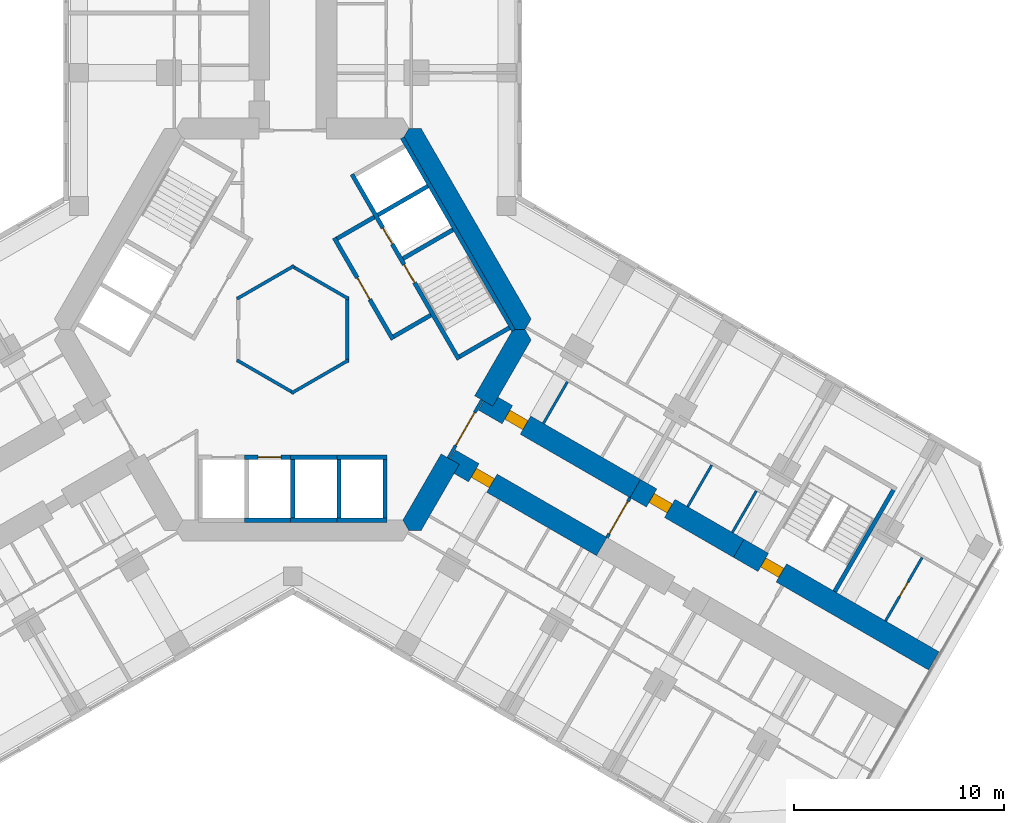
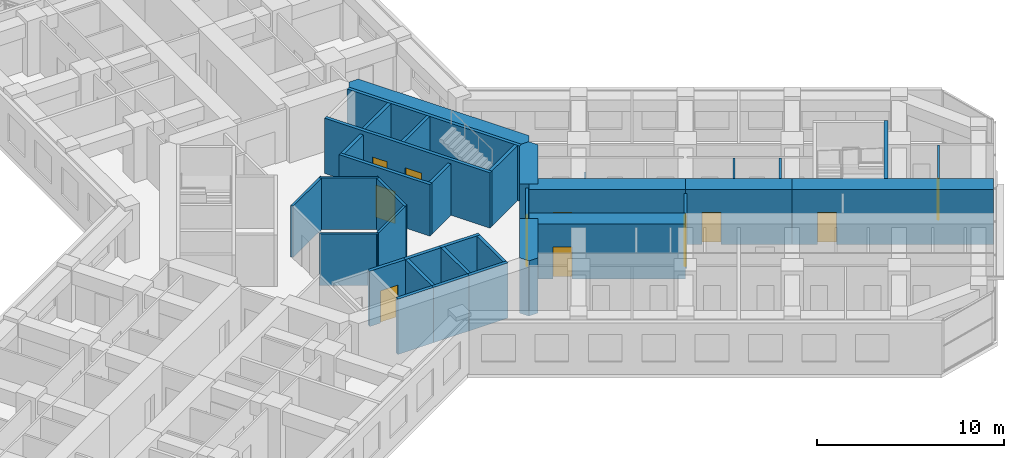
# One storey, part 15 of 21: 36 walls, 11 doors, 11 openings.
"""IFC4 building model written with IfcOpenShell, lengths in metres."""

import ifcopenshell
import ifcopenshell.guid

model = None  # the IFC model being written
_history = None  # IfcOwnerHistory: only IFC2X3 demands one
_inside = {}  # id of a spatial element -> (the spatial element, [elements in it])
_under = {}  # id of a project, library or spatial element -> (it, [spatial elements below it])
_declared = {}  # id of a project -> (the project, [libraries it declares])
_typed = {}  # id of a type object -> (the type object, [elements of that type])
_made_of = {}  # id of a material, layer set ... -> (it, [elements and type objects made of it])


def new_model(schema):
    """Start an empty IFC model of exactly this schema.

    Asked for "IFC4X3", IfcOpenShell would pick the latest addendum, in which some entities
    have other attributes; the version numbers below select the first issue.
    IFC2X3 requires an IfcOwnerHistory on every rooted entity: one is made here for all.
    """
    global model, _history
    if schema == "IFC4X3":
        model = ifcopenshell.file(schema_version=(4, 3, 0, 0))
    else:
        model = ifcopenshell.file(schema=schema)
    _inside.clear()
    _under.clear()
    _declared.clear()
    _typed.clear()
    _made_of.clear()
    _history = None
    if model.schema == "IFC2X3":
        org = make("IfcOrganization", Name="unknown")
        user = make(
            "IfcPersonAndOrganization",
            ThePerson=make("IfcPerson", FamilyName="unknown"),
            TheOrganization=org,
        )
        app = make(
            "IfcApplication",
            ApplicationDeveloper=org,
            Version="unknown",
            ApplicationFullName="unknown",
            ApplicationIdentifier="unknown",
        )
        _history = make(
            "IfcOwnerHistory",
            OwningUser=user,
            OwningApplication=app,
            ChangeAction="ADDED",
            CreationDate=0,
        )
    return model


def make(cls, **values):
    """One entity of the class cls with the attributes given. An attribute that is None is left unset."""
    return model.create_entity(
        cls, **{name: value for name, value in values.items() if value is not None}
    )


def rooted(cls, **values):
    """An entity with a GlobalId (a new one), such as an element, a storey or a relation."""
    return make(cls, GlobalId=ifcopenshell.guid.new(), OwnerHistory=_history, **values)


def si_unit(unit_type, name, prefix=None):
    """IfcSIUnit, for example si_unit("LENGTHUNIT", "METRE", prefix="MILLI")."""
    return make("IfcSIUnit", UnitType=unit_type, Prefix=prefix, Name=name)


def assignment(units):
    """IfcUnitAssignment: the units of a project."""
    return None if units is None else make("IfcUnitAssignment", Units=units)


def point(xyz):
    """IfcCartesianPoint."""
    return None if xyz is None else make("IfcCartesianPoint", Coordinates=xyz)


def direction(xyz):
    """IfcDirection."""
    return None if xyz is None else make("IfcDirection", DirectionRatios=xyz)


def frame(location, z_axis=None, x_axis=None):
    """IfcAxis2Placement3D, a coordinate frame: its origin and axes. An axis left out is left unset."""
    return make(
        "IfcAxis2Placement3D",
        Location=point(location),
        Axis=direction(z_axis),
        RefDirection=direction(x_axis),
    )


def frame_2d(location, x_axis=None):
    """IfcAxis2Placement2D, a coordinate frame in the plane: its origin and x axis."""
    return make(
        "IfcAxis2Placement2D", Location=point(location), RefDirection=direction(x_axis)
    )


def origin():
    """The frame at (0, 0, 0) with its axes left unset."""
    return frame((0.0, 0.0, 0.0))


def place(relative_to, where):
    """IfcLocalPlacement: puts the frame where relative to a parent placement (None: the world)."""
    return make(
        "IfcLocalPlacement", PlacementRelTo=relative_to, RelativePlacement=where
    )


def context(
    kind, dimensions, precision=None, world=None, true_north=None, identifier=None
):
    """IfcGeometricRepresentationContext, for example the 3D "Model" context."""
    return make(
        "IfcGeometricRepresentationContext",
        ContextIdentifier=identifier,
        ContextType=kind,
        CoordinateSpaceDimension=dimensions,
        Precision=precision,
        WorldCoordinateSystem=world,
        TrueNorth=true_north,
    )


def subcontext(parent, identifier, kind, view, scale=None):
    """IfcGeometricRepresentationSubContext, for example "Body" below "Model"."""
    return make(
        "IfcGeometricRepresentationSubContext",
        ContextIdentifier=identifier,
        ContextType=kind,
        ParentContext=parent,
        TargetScale=scale,
        TargetView=view,
    )


def project(units=None, contexts=None):
    """IfcProject with its units and contexts."""
    return rooted(
        "IfcProject",
        Name="project",
        RepresentationContexts=contexts,
        UnitsInContext=assignment(units),
    )


def spatial(cls, under=None, at=None, **own):
    """A site, building, storey or space (cls), placed at a placement, below another one or the project."""
    s = rooted(cls, ObjectPlacement=at, **own)
    if under is not None:
        _under.setdefault(under.id(), (under, []))[1].append(s)
    return s


def polyline(points):
    """IfcPolyline through the points."""
    return make("IfcPolyline", Points=[point(p) for p in points])


def profile(cls, at=None, kind="AREA", **sizes):
    """A parametric profile (cls). Its sizes go by their IFC names, for example OverallWidth=200.0."""
    return make(cls, ProfileType=kind, Position=at, **sizes)


def rectangle(**sizes):
    """IfcRectangleProfileDef."""
    return profile("IfcRectangleProfileDef", **sizes)


def outline(outer, holes=None, kind="AREA"):
    """IfcArbitraryClosedProfileDef: a profile drawn as a closed curve; with holes, ...WithVoids."""
    if holes is None:
        return make("IfcArbitraryClosedProfileDef", ProfileType=kind, OuterCurve=outer)
    return make(
        "IfcArbitraryProfileDefWithVoids",
        ProfileType=kind,
        OuterCurve=outer,
        InnerCurves=holes,
    )


def extrude(swept, where, along, depth):
    """IfcExtrudedAreaSolid: the profile swept, set in the frame where, extruded along a direction by depth."""
    return make(
        "IfcExtrudedAreaSolid",
        SweptArea=swept,
        Position=where,
        ExtrudedDirection=direction(along),
        Depth=depth,
    )


def shape(context_of_items, identifier, shape_type, items):
    """IfcShapeRepresentation: the items that make up one representation, for example the "Body"."""
    return make(
        "IfcShapeRepresentation",
        ContextOfItems=context_of_items,
        RepresentationIdentifier=identifier,
        RepresentationType=shape_type,
        Items=items,
    )


def material(Name=None, Category=None):
    """IfcMaterial."""
    return make("IfcMaterial", Name=Name, Category=Category)


def layer(
    of_material, thickness, ventilated=None, Name=None, Category=None, Priority=None
):
    """IfcMaterialLayer: one layer of a wall or slab, of a material (None: an air gap)."""
    return make(
        "IfcMaterialLayer",
        Material=of_material,
        LayerThickness=thickness,
        IsVentilated=ventilated,
        Name=Name,
        Category=Category,
        Priority=Priority,
    )


def layer_set(layers, Name=None):
    """IfcMaterialLayerSet."""
    return make("IfcMaterialLayerSet", MaterialLayers=layers, LayerSetName=Name)


def made_of(thing, what):
    """Note that an element or type object is made of a material, layer set ...; save() writes the relation."""
    if what is not None:
        _made_of.setdefault(what.id(), (what, []))[1].append(thing)
    return thing


def type_object(cls, material=None, **own):
    """A type object (cls), such as IfcWallType, which elements share."""
    return made_of(rooted(cls, **own), material)


def element(
    cls,
    number,
    at=None,
    inside=None,
    cuts=None,
    type_object=None,
    material=None,
    context=None,
    identifier="Body",
    shape_type=None,
    held_by="IfcProductDefinitionShape",
    body=None,
    shapes=None,
    **own,
):
    """One element of the class cls, such as IfcWall. Its Tag is "e" and its number.

    at: its placement. inside: the storey or other place that contains it. cuts: it is an
    opening in that element (IfcRelVoidsElement). A single representation is given by context,
    identifier, shape_type and body (its items); several are given by shapes. held_by: the class
    of the entity that holds the representations. save() writes the other relations.
    """
    e = rooted(cls, Tag="e%d" % number, ObjectPlacement=at, **own)
    if body is not None:
        shapes = [shape(context, identifier, shape_type, body)]
    if shapes is not None:
        e.Representation = make(held_by, Representations=shapes)
    if inside is not None:
        _inside.setdefault(inside.id(), (inside, []))[1].append(e)
    if cuts is not None:
        rooted(
            "IfcRelVoidsElement", RelatingBuildingElement=cuts, RelatedOpeningElement=e
        )
    if type_object is not None:
        _typed.setdefault(type_object.id(), (type_object, []))[1].append(e)
    return made_of(e, material)


def fill(opening, filler):
    """IfcRelFillsElement: the door or window that sits in an opening."""
    return rooted(
        "IfcRelFillsElement",
        RelatingOpeningElement=opening,
        RelatedBuildingElement=filler,
    )


def aggregate(whole, parts):
    """IfcRelAggregates: a whole, such as a stair, and the parts it consists of."""
    return rooted("IfcRelAggregates", RelatingObject=whole, RelatedObjects=parts)


def save(model, path):
    """Write the relations noted so far, then the file.

    IfcRelAggregates (storeys below a building ...), IfcRelContainedInSpatialStructure (elements
    in a storey), IfcRelDefinesByType, IfcRelAssociatesMaterial and IfcRelDeclares: one each for
    every whole, place, type object, material and project.
    """
    for whole, parts in _under.values():
        aggregate(whole, parts)
    for where, things in _inside.values():
        rooted(
            "IfcRelContainedInSpatialStructure",
            RelatedElements=things,
            RelatingStructure=where,
        )
    for kind, things in _typed.values():
        rooted("IfcRelDefinesByType", RelatedObjects=things, RelatingType=kind)
    for what, things in _made_of.values():
        rooted("IfcRelAssociatesMaterial", RelatedObjects=things, RelatingMaterial=what)
    for by, libraries in _declared.values():
        rooted("IfcRelDeclares", RelatingContext=by, RelatedDefinitions=libraries)
    model.write(path)


model = new_model("IFC4")

# Units and contexts
model_context = context("Model", 3, precision=1e-05, world=origin(), true_north=direction((0.0, 1.0)))
body_context = subcontext(model_context, "Body", "Model", "MODEL_VIEW")
ifc_project = project(units=[si_unit("LENGTHUNIT", "METRE"), si_unit("AREAUNIT", "SQUARE_METRE"), si_unit("VOLUMEUNIT", "CUBIC_METRE"), si_unit("PLANEANGLEUNIT", "RADIAN"), si_unit("MASSUNIT", "GRAM", prefix="KILO")], contexts=[model_context])

# Site, building, storey
site_placement = place(None, origin())
site = spatial("IfcSite", under=ifc_project, at=site_placement, CompositionType="ELEMENT")
building_placement = place(site_placement, origin())
building = spatial("IfcBuilding", under=site, at=building_placement, Name="Kosmar Iwan School Tower", CompositionType="ELEMENT")
storey_placement = place(building_placement, frame((0.0, 0.0, 102.39990234375)))
storey = spatial("IfcBuildingStorey", under=building, at=storey_placement, Name="L25", CompositionType="ELEMENT", Elevation=102.39990234375)

# Walls
ifc_material_1 = material(Name="Gypsum board on steel studs, fire-rated", Category="steel")
ifc_layer_1 = layer(ifc_material_1, 0.14990234375)
ifc_layer_set_1 = layer_set([ifc_layer_1], Name="Core room partition 150")
wall_type_1 = type_object("IfcWallType", Name="Core room partition 150", PredefinedType="PARTITIONING", material=ifc_layer_set_1)
for number, where, z_axis, x_axis, name in (
    (1, (2.6650390625, -1.463623046875, 0.0), (0.0, 0.0, 1.0), (-0.866023080072, -0.500004024767, 0.0), "Core room partition L25-CW4"),
    (2, (0.06494140625, -3.039794921875, 0.0), (0.0, 0.0, 1.0), (-0.866023080072, 0.500004024767, 0.0), "Core room partition L25-CW5"),
    (3, (-2.6650390625, 1.463623046875, 0.0), (0.0, 0.0, 1.0), (0.866023080072, 0.500004024767, 0.0), "Core room partition L25-CW7"),
    (4, (-0.06494140625, 3.039794921875, 0.0), (0.0, 0.0, 1.0), (0.866023080072, -0.500004024767, 0.0), "Core room partition L25-CW8"),
    (5, (2.60009765625, 1.576171875, 0.0), (0.0, 0.0, 1.0), (0.0, -1.0, 0.0), "Core room partition L25-CW9"),
):
    element("IfcWall", number, at=place(storey_placement, frame(where, z_axis=z_axis, x_axis=x_axis)), inside=storey, type_object=wall_type_1, Name=name, PredefinedType="PARTITIONING", context=body_context, shape_type="SweptSolid", body=[
        extrude(rectangle(XDim=3.15234375, YDim=0.14990234375, at=frame_2d((1.576171875, 0.0))), origin(), (0.0, 0.0, 1.0), 3.35009765625),
    ])
ifc_material_2 = material(Name="Concrete C50/60", Category="concrete")
ifc_layer_2 = layer(ifc_material_2, 1.0)
ifc_layer_set_2 = layer_set([ifc_layer_2], Name="Core wall 1000")
wall_type_2 = type_object("IfcWallType", Name="Core wall 1000", PredefinedType="SHEAR", material=ifc_layer_set_2)
wall_1_placement = place(storey_placement, origin())
element("IfcWall", 6, at=wall_1_placement, inside=storey, type_object=wall_type_2, Name="Core wall F030", PredefinedType="SHEAR", context=body_context, shape_type="SweptSolid", body=[
    extrude(outline(polyline([(10.5078125, 0.0), (11.085205078125, 0.0), (11.373779296875, 0.5), (6.119873046875, 9.60009765625), (5.54248046875, 9.60009765625), (5.25390625, 9.10009765625), (10.5078125, 0.0)])), origin(), (0.0, 0.0, 1.0), 3.60009765625),
])
wall_2_placement = place(storey_placement, origin())
element("IfcWall", 7, at=wall_2_placement, inside=storey, type_object=wall_type_2, Name="Core wall F330a", PredefinedType="SHEAR", context=body_context, shape_type="SweptSolid", body=[
    extrude(outline(polyline([(5.54248046875, -9.60009765625), (6.119873046875, -9.60009765625), (7.94677734375, -6.435546875), (7.080810546875, -5.935546875), (5.25390625, -9.10009765625), (5.54248046875, -9.60009765625)])), origin(), (0.0, 0.0, 1.0), 3.60009765625),
])
wall_3_placement = place(storey_placement, origin())
element("IfcWall", 8, at=wall_3_placement, inside=storey, type_object=wall_type_2, Name="Core wall F330b", PredefinedType="SHEAR", context=body_context, shape_type="SweptSolid", body=[
    extrude(outline(polyline([(9.546875, -3.664306640625), (11.373779296875, -0.5), (11.085205078125, 0.0), (10.5078125, 0.0), (8.680908203125, -3.164306640625), (9.546875, -3.664306640625)])), origin(), (0.0, 0.0, 1.0), 3.60009765625),
])

# Wall, opening, door
ifc_material_3 = material(Name="Concrete C50/60", Category="concrete")
ifc_layer_3 = layer(ifc_material_3, 1.0)
ifc_layer_set_3 = layer_set([ifc_layer_3], Name="Corridor buttress wall 1000")
wall_type_3 = type_object("IfcWallType", Name="Corridor buttress wall 1000", PredefinedType="SHEAR", material=ifc_layer_set_3)
wall_4_placement = place(storey_placement, frame((9.11376953125, -3.414306640625, 0.0), z_axis=(0.0, 0.0, 1.0), x_axis=(0.866026859388, -0.499997478812, 0.0)))
wall_4 = element("IfcWall", 9, at=wall_4_placement, inside=storey, type_object=wall_type_3, Name="Corridor wall CL", PredefinedType="SHEAR", context=body_context, shape_type="SweptSolid", body=[
    extrude(rectangle(XDim=8.35009765625, YDim=1.0, at=frame_2d((4.175048828125, 0.0))), origin(), (0.0, 0.0, 1.0), 3.60009765625),
])
opening_1_placement = place(wall_4_placement, frame((1.300048828125, 0.0, 0.0)))
opening_1 = element("IfcOpeningElement", 10, at=opening_1_placement, cuts=wall_4, Name="Opening D1", PredefinedType="OPENING", context=body_context, shape_type="SweptSolid", body=[
    extrude(rectangle(XDim=1.0, YDim=2.10009765625, at=frame_2d((0.5, 1.050048828125))), frame((0.0, 0.511962890625, 0.0), z_axis=(0.0, -1.0, 0.0), x_axis=(1.0, 0.0, 0.0)), (0.0, 0.0, 1.0), 1.02392578125),
])
ifc_material_4 = material(Name="Timber fire door in steel frame", Category="steel")
door_type_1 = type_object("IfcDoorType", Name="Flat entrance door 1000x2100", OperationType="SINGLE_SWING_LEFT", PredefinedType="DOOR", material=ifc_material_4)
door_1_placement = place(opening_1_placement, origin())
door_1 = element("IfcDoor", 11, at=door_1_placement, inside=storey, type_object=door_type_1, Name="Flat L25-CL1 entrance door", OperationType="SINGLE_SWING_RIGHT", OverallHeight=2.10009765625, OverallWidth=1.0, PredefinedType="DOOR", context=body_context, shape_type="SweptSolid", body=[
    extrude(rectangle(XDim=1.0, YDim=2.10009765625, at=frame_2d((0.5, 1.050048828125))), frame((0.0, 0.25, 0.0), z_axis=(0.0, -1.0, 0.0), x_axis=(1.0, 0.0, 0.0)), (0.0, 0.0, 1.0), 0.5),
])
fill(opening_1, door_1)

wall_5_placement = place(storey_placement, frame((16.34521484375, -7.58935546875, 0.0), z_axis=(0.0, 0.0, 1.0), x_axis=(0.866015111908, -0.50001782563, 0.0)))
wall_5 = element("IfcWall", 12, at=wall_5_placement, inside=storey, type_object=wall_type_3, Name="Corridor wall CL bay 2", PredefinedType="SHEAR", context=body_context, shape_type="SweptSolid", body=[
    extrude(rectangle(XDim=5.699951171875, YDim=1.0, at=frame_2d((2.85009765625, 0.0))), origin(), (0.0, 0.0, 1.0), 3.60009765625),
])
opening_2_placement = place(wall_5_placement, frame((0.89990234375, 0.0, 0.0)))
opening_2 = element("IfcOpeningElement", 13, at=opening_2_placement, cuts=wall_5, Name="Opening D1", PredefinedType="OPENING", context=body_context, shape_type="SweptSolid", body=[
    extrude(rectangle(XDim=1.0, YDim=2.10009765625, at=frame_2d((0.5, 1.050048828125))), frame((0.0, 0.511962890625, 0.0), z_axis=(0.0, -1.0, 0.0), x_axis=(1.0, 0.0, 0.0)), (0.0, 0.0, 1.0), 1.02392578125),
])
door_2_placement = place(opening_2_placement, origin())
door_2 = element("IfcDoor", 14, at=door_2_placement, inside=storey, type_object=door_type_1, Name="Flat L25-CL2 entrance door", OperationType="SINGLE_SWING_RIGHT", OverallHeight=2.10009765625, OverallWidth=1.0, PredefinedType="DOOR", context=body_context, shape_type="SweptSolid", body=[
    extrude(rectangle(XDim=1.0, YDim=2.10009765625, at=frame_2d((0.5, 1.050048828125))), frame((0.0, 0.25, 0.0), z_axis=(0.0, -1.0, 0.0), x_axis=(1.0, 0.0, 0.0)), (0.0, 0.0, 1.0), 0.5),
])
fill(opening_2, door_2)

wall_6_placement = place(storey_placement, frame((21.281494140625, -10.439453125, 0.0), z_axis=(0.0, 0.0, 1.0), x_axis=(0.866032345022, -0.499987977232, 0.0)))
wall_6 = element("IfcWall", 15, at=wall_6_placement, inside=storey, type_object=wall_type_3, Name="Corridor wall CL bay 3", PredefinedType="SHEAR", context=body_context, shape_type="SweptSolid", body=[
    extrude(rectangle(XDim=10.744873046875, YDim=1.0, at=frame_2d((5.37255859375, 0.0))), origin(), (0.0, 0.0, 1.0), 3.60009765625),
])
opening_3_placement = place(wall_6_placement, frame((1.35009765625, 0.0, 0.0)))
opening_3 = element("IfcOpeningElement", 16, at=opening_3_placement, cuts=wall_6, Name="Opening D6", PredefinedType="OPENING", context=body_context, shape_type="SweptSolid", body=[
    extrude(rectangle(XDim=1.0, YDim=2.10009765625, at=frame_2d((0.5, 1.050048828125))), frame((0.0, 0.511962890625, 0.0), z_axis=(0.0, -1.0, 0.0), x_axis=(1.0, 0.0, 0.0)), (0.0, 0.0, 1.0), 1.02392578125),
])
ifc_material_5 = material(Name="Steel fire door", Category="steel")
door_type_2 = type_object("IfcDoorType", Name="Stair door 1000x2100", OperationType="SINGLE_SWING_LEFT", PredefinedType="DOOR", material=ifc_material_5)
door_3_placement = place(opening_3_placement, origin())
door_3 = element("IfcDoor", 17, at=door_3_placement, inside=storey, type_object=door_type_2, Name="Stair WS3 door L25", OperationType="SINGLE_SWING_LEFT", OverallHeight=2.10009765625, OverallWidth=1.0, PredefinedType="DOOR", context=body_context, shape_type="SweptSolid", body=[
    extrude(rectangle(XDim=1.0, YDim=2.10009765625, at=frame_2d((0.5, 1.050048828125))), frame((0.0, 0.25, 0.0), z_axis=(0.0, -1.0, 0.0), x_axis=(1.0, 0.0, 0.0)), (0.0, 0.0, 1.0), 0.5),
])
fill(opening_3, door_3)

wall_7_placement = place(storey_placement, frame((7.513916015625, -6.185546875, 0.0), z_axis=(0.0, 0.0, 1.0), x_axis=(0.866019549707, -0.500010139422, 0.0)))
wall_7 = element("IfcWall", 18, at=wall_7_placement, inside=storey, type_object=wall_type_3, Name="Corridor wall CR", PredefinedType="SHEAR", context=body_context, shape_type="SweptSolid", body=[
    extrude(rectangle(XDim=8.349853515625, YDim=1.0, at=frame_2d((4.1748046875, 0.0))), origin(), (0.0, 0.0, 1.0), 3.60009765625),
])
opening_4_placement = place(wall_7_placement, frame((1.300048828125, 0.0, 0.0)))
opening_4 = element("IfcOpeningElement", 19, at=opening_4_placement, cuts=wall_7, Name="Opening D1", PredefinedType="OPENING", context=body_context, shape_type="SweptSolid", body=[
    extrude(rectangle(XDim=1.0, YDim=2.10009765625, at=frame_2d((0.5, 1.050048828125))), frame((0.0, 0.511962890625, 0.0), z_axis=(0.0, -1.0, 0.0), x_axis=(1.0, 0.0, 0.0)), (0.0, 0.0, 1.0), 1.02392578125),
])
door_4_placement = place(opening_4_placement, origin())
door_4 = element("IfcDoor", 20, at=door_4_placement, inside=storey, type_object=door_type_1, Name="Flat L25-CR1 entrance door", OperationType="SINGLE_SWING_LEFT", OverallHeight=2.10009765625, OverallWidth=1.0, PredefinedType="DOOR", context=body_context, shape_type="SweptSolid", body=[
    extrude(rectangle(XDim=1.0, YDim=2.10009765625, at=frame_2d((0.5, 1.050048828125))), frame((0.0, 0.25, 0.0), z_axis=(0.0, -1.0, 0.0), x_axis=(1.0, 0.0, 0.0)), (0.0, 0.0, 1.0), 0.5),
])
fill(opening_4, door_4)

ifc_material_6 = material(Name="Gypsum board on steel studs, fire-rated", Category="steel")
ifc_layer_4 = layer(ifc_material_6, 0.14990234375)
ifc_layer_set_4 = layer_set([ifc_layer_4], Name="Corridor end wall 150")
wall_type_4 = type_object("IfcWallType", Name="Corridor end wall 150", PredefinedType="PARTITIONING", material=ifc_layer_set_4)
wall_8_placement = place(storey_placement, frame((14.9951171875, -9.927734375, 0.0), z_axis=(0.0, 0.0, 1.0), x_axis=(0.50002983664, 0.866008176907, 0.0)))
wall_8 = element("IfcWall", 21, at=wall_8_placement, inside=storey, type_object=wall_type_4, Name="Partition L25-C-HW", PredefinedType="PARTITIONING", context=body_context, shape_type="SweptSolid", body=[
    extrude(rectangle(XDim=2.199951171875, YDim=0.14990234375, at=frame_2d((1.10009765625, 0.0))), origin(), (0.0, 0.0, 1.0), 3.35009765625),
])
opening_5_placement = place(wall_8_placement, frame((0.199951171875, 0.0, 0.0)))
opening_5 = element("IfcOpeningElement", 22, at=opening_5_placement, cuts=wall_8, Name="Opening D9", PredefinedType="OPENING", context=body_context, shape_type="SweptSolid", body=[
    extrude(rectangle(XDim=1.800048828125, YDim=2.10009765625, at=frame_2d((0.89990234375, 1.050048828125))), frame((0.0, 0.0869140625, 0.0), z_axis=(0.0, -1.0, 0.0), x_axis=(1.0, 0.0, 0.0)), (0.0, 0.0, 1.0), 0.173828125),
])
ifc_material_7 = material(Name="Steel framed glazed smoke door", Category="steel")
door_type_3 = type_object("IfcDoorType", Name="Corridor smoke door pair 1800x2100", OperationType="DOUBLE_DOOR_DOUBLE_SWING", PredefinedType="DOOR", material=ifc_material_7)
door_5_placement = place(opening_5_placement, origin())
door_5 = element("IfcDoor", 23, at=door_5_placement, inside=storey, type_object=door_type_3, Name="Entrance vestibule smoke doors L25-C", OperationType="DOUBLE_DOOR_DOUBLE_SWING", OverallHeight=2.10009765625, OverallWidth=1.800048828125, PredefinedType="DOOR", context=body_context, shape_type="SweptSolid", body=[
    extrude(rectangle(XDim=1.800048828125, YDim=2.10009765625, at=frame_2d((0.89990234375, 1.050048828125))), frame((0.0, 0.02490234375, 0.0), z_axis=(0.0, -1.0, 0.0), x_axis=(1.0, 0.0, 0.0)), (0.0, 0.0, 1.0), 0.050048828125),
])
fill(opening_5, door_5)

ifc_material_8 = material(Name="Steel framed glazed screen", Category="steel")
ifc_layer_5 = layer(ifc_material_8, 0.14990234375)
ifc_layer_set_5 = layer_set([ifc_layer_5], Name="Corridor screen wall 150")
wall_type_5 = type_object("IfcWallType", Name="Corridor screen wall 150", PredefinedType="PARTITIONING", material=ifc_layer_set_5)
wall_9_placement = place(storey_placement, frame((7.42724609375, -6.1357421875, 0.0), z_axis=(0.0, 0.0, 1.0), x_axis=(0.499995408039, 0.866028054938, 0.0)))
wall_9 = element("IfcWall", 24, at=wall_9_placement, inside=storey, type_object=wall_type_5, Name="Corridor screen C L25", PredefinedType="PARTITIONING", context=body_context, shape_type="SweptSolid", body=[
    extrude(rectangle(XDim=3.2001953125, YDim=0.14990234375, at=frame_2d((1.60009765625, 0.0))), origin(), (0.0, 0.0, 1.0), 3.35009765625),
])
opening_6_placement = place(wall_9_placement, frame((0.699951171875, 0.0, 0.0)))
opening_6 = element("IfcOpeningElement", 25, at=opening_6_placement, cuts=wall_9, Name="Opening D9", PredefinedType="OPENING", context=body_context, shape_type="SweptSolid", body=[
    extrude(rectangle(XDim=1.800048828125, YDim=2.10009765625, at=frame_2d((0.89990234375, 1.050048828125))), frame((0.0, 0.0869140625, 0.0), z_axis=(0.0, -1.0, 0.0), x_axis=(1.0, 0.0, 0.0)), (0.0, 0.0, 1.0), 0.173828125),
])
door_6_placement = place(opening_6_placement, origin())
door_6 = element("IfcDoor", 26, at=door_6_placement, inside=storey, type_object=door_type_3, Name="Corridor doors C L25", OperationType="DOUBLE_DOOR_DOUBLE_SWING", OverallHeight=2.10009765625, OverallWidth=1.800048828125, PredefinedType="DOOR", context=body_context, shape_type="SweptSolid", body=[
    extrude(rectangle(XDim=1.800048828125, YDim=2.10009765625, at=frame_2d((0.89990234375, 1.050048828125))), frame((0.0, 0.02490234375, 0.0), z_axis=(0.0, -1.0, 0.0), x_axis=(1.0, 0.0, 0.0)), (0.0, 0.0, 1.0), 0.050048828125),
])
fill(opening_6, door_6)

# Walls
ifc_material_9 = material(Name="Gypsum board on steel studs", Category="steel")
ifc_layer_6 = layer(ifc_material_9, 0.1201171875)
ifc_layer_set_6 = layer_set([ifc_layer_6], Name="Dwelling partition 120")
wall_type_6 = type_object("IfcWallType", Name="Dwelling partition 120", PredefinedType="PARTITIONING", material=ifc_layer_set_6)
wall_10_placement = place(storey_placement, frame((11.9619140625, -4.4814453125, 0.0), z_axis=(0.0, 0.0, 1.0), x_axis=(0.499968531483, 0.866043571379, 0.0)))
element("IfcWall", 27, at=wall_10_placement, inside=storey, type_object=wall_type_6, Name="Partition L25-CL1-Y1", PredefinedType="PARTITIONING", context=body_context, shape_type="SweptSolid", body=[
    extrude(rectangle(XDim=2.290283203125, YDim=0.1201171875, at=frame_2d((1.14501953125, 0.0))), origin(), (0.0, 0.0, 1.0), 2.4501953125),
])
for number, where, z_axis, x_axis, name in (
    (28, (18.846923828125, -8.456298828125, 0.0), (0.0, 0.0, 1.0), (0.500014693593, 0.866016920268, 0.0), "Partition L25-CL2-Y1"),
    (29, (20.977294921875, -9.686279296875, 0.0), (0.0, 0.0, 1.0), (0.500014693593, 0.866016920268, 0.0), "Partition L25-CL2-Y2"),
):
    element("IfcWall", number, at=place(storey_placement, frame(where, z_axis=z_axis, x_axis=x_axis)), inside=storey, type_object=wall_type_6, Name=name, PredefinedType="PARTITIONING", context=body_context, shape_type="SweptSolid", body=[
        extrude(rectangle(XDim=2.2900390625, YDim=0.1201171875, at=frame_2d((1.14501953125, 0.0))), origin(), (0.0, 0.0, 1.0), 3.35009765625),
    ])

# Wall, opening, door
wall_11_placement = place(storey_placement, frame((28.286376953125, -13.90625, 0.0), z_axis=(0.0, 0.0, 1.0), x_axis=(0.50002117804, 0.866013176292, 0.0)))
wall_11 = element("IfcWall", 30, at=wall_11_placement, inside=storey, type_object=wall_type_6, Name="Partition L25-CL2-TY", PredefinedType="PARTITIONING", context=body_context, shape_type="SweptSolid", body=[
    extrude(rectangle(XDim=3.489990234375, YDim=0.1201171875, at=frame_2d((1.7451171875, 0.0))), origin(), (0.0, 0.0, 1.0), 3.35009765625),
])
opening_7_placement = place(wall_11_placement, frame((1.344970703125, 0.0, 0.0)))
opening_7 = element("IfcOpeningElement", 31, at=opening_7_placement, cuts=wall_11, Name="Opening D3", PredefinedType="OPENING", context=body_context, shape_type="SweptSolid", body=[
    extrude(rectangle(XDim=0.800048828125, YDim=2.10009765625, at=frame_2d((0.39990234375, 1.050048828125))), frame((0.0, 0.072021484375, 0.0), z_axis=(0.0, -1.0, 0.0), x_axis=(1.0, 0.0, 0.0)), (0.0, 0.0, 1.0), 0.14404296875),
])
ifc_material_10 = material(Name="Timber door in timber frame", Category="wood")
door_type_4 = type_object("IfcDoorType", Name="Sanitary room door 800x2100", OperationType="SINGLE_SWING_LEFT", PredefinedType="DOOR", material=ifc_material_10)
door_7_placement = place(opening_7_placement, origin())
door_7 = element("IfcDoor", 32, at=door_7_placement, inside=storey, type_object=door_type_4, Name="Shower room door L25-CL2-T4", OperationType="SINGLE_SWING_RIGHT", OverallHeight=2.10009765625, OverallWidth=0.800048828125, PredefinedType="DOOR", context=body_context, shape_type="SweptSolid", body=[
    extrude(rectangle(XDim=0.800048828125, YDim=2.10009765625, at=frame_2d((0.39990234375, 1.050048828125))), frame((0.0, 0.02490234375, 0.0), z_axis=(0.0, -1.0, 0.0), x_axis=(1.0, 0.0, 0.0)), (0.0, 0.0, 1.0), 0.050048828125),
])
fill(opening_7, door_7)

# Wall
ifc_material_11 = material(Name="Concrete C35/45", Category="concrete")
ifc_layer_7 = layer(ifc_material_11, 0.199951171875)
ifc_layer_set_7 = layer_set([ifc_layer_7], Name="Escape stair wall 200")
wall_type_7 = type_object("IfcWallType", Name="Escape stair wall 200", PredefinedType="SHEAR", material=ifc_layer_set_7)
wall_12_placement = place(storey_placement, frame((25.861572265625, -12.50634765625, 0.0), z_axis=(0.0, 0.0, 1.0), x_axis=(0.500018801468, 0.86601454848, 0.0)))
element("IfcWall", 33, at=wall_12_placement, inside=storey, type_object=wall_type_7, Name="Stair WS3 wall", PredefinedType="SHEAR", context=body_context, shape_type="SweptSolid", body=[
    extrude(rectangle(XDim=5.800048828125, YDim=0.199951171875, at=frame_2d((2.89990234375, 0.0))), origin(), (0.0, 0.0, 1.0), 3.330078125),
])

# Wall, opening, door
ifc_material_12 = material(Name="Concrete block masonry", Category="masonry")
ifc_layer_8 = layer(ifc_material_12, 0.199951171875)
ifc_layer_set_8 = layer_set([ifc_layer_8], Name="Fire lobby wall 200")
wall_type_8 = type_object("IfcWallType", Name="Fire lobby wall 200", PredefinedType="PARTITIONING", material=ifc_layer_set_8)
wall_13_placement = place(storey_placement, frame((4.777587890625, -0.474853515625, 0.0), z_axis=(0.0, 0.0, 1.0), x_axis=(-0.500016814911, 0.866015695474, 0.0)))
wall_13 = element("IfcWall", 34, at=wall_13_placement, inside=storey, type_object=wall_type_8, Name="Firefighting lobby wall ST1", PredefinedType="PARTITIONING", context=body_context, shape_type="SweptSolid", body=[
    extrude(rectangle(XDim=5.599853515625, YDim=0.199951171875, at=frame_2d((2.7998046875, 0.0))), origin(), (0.0, 0.0, 1.0), 3.35009765625),
])
opening_8_placement = place(wall_13_placement, frame((2.199951171875, 0.0, 0.0)))
opening_8 = element("IfcOpeningElement", 35, at=opening_8_placement, cuts=wall_13, Name="Opening D7", PredefinedType="OPENING", context=body_context, shape_type="SweptSolid", body=[
    extrude(rectangle(XDim=1.199951171875, YDim=2.10009765625, at=frame_2d((0.60009765625, 1.050048828125))), frame((0.0, 0.112060546875, 0.0), z_axis=(0.0, -1.0, 0.0), x_axis=(1.0, 0.0, 0.0)), (0.0, 0.0, 1.0), 0.223876953125),
])
ifc_material_13 = material(Name="Steel fire door", Category="steel")
door_type_5 = type_object("IfcDoorType", Name="Fire lobby door 1200x2100", OperationType="SINGLE_SWING_LEFT", PredefinedType="DOOR", material=ifc_material_13)
door_8_placement = place(opening_8_placement, frame((1.199951171875, 0.0, 0.0), z_axis=(0.0, 0.0, 1.0), x_axis=(-1.0, 0.0, 0.0)))
door_8 = element("IfcDoor", 36, at=door_8_placement, inside=storey, type_object=door_type_5, Name="Firefighting lobby door ST1 L25", OperationType="SINGLE_SWING_LEFT", OverallHeight=2.10009765625, OverallWidth=1.199951171875, PredefinedType="DOOR", context=body_context, shape_type="SweptSolid", body=[
    extrude(rectangle(XDim=1.199951171875, YDim=2.10009765625, at=frame_2d((0.60009765625, 1.050048828125))), frame((0.0, 0.02490234375, 0.0), z_axis=(0.0, -1.0, 0.0), x_axis=(1.0, 0.0, 0.0)), (0.0, 0.0, 1.0), 0.050048828125),
])
fill(opening_8, door_8)

# Walls
wall_14_placement = place(storey_placement, frame((4.814208984375, -0.33837890625, 0.0), z_axis=(0.0, 0.0, 1.0), x_axis=(0.865969381856, 0.500097020274, 0.0)))
element("IfcWall", 37, at=wall_14_placement, inside=storey, type_object=wall_type_8, Name="Firefighting lobby wall ST1", PredefinedType="PARTITIONING", context=body_context, shape_type="SweptSolid", body=[
    extrude(rectangle(XDim=2.0498046875, YDim=0.199951171875, at=frame_2d((1.02490234375, 0.0))), origin(), (0.0, 0.0, 1.0), 3.35009765625),
])
wall_15_placement = place(storey_placement, frame((2.114013671875, 4.33837890625, 0.0), z_axis=(0.0, 0.0, 1.0), x_axis=(0.866050731258, 0.499956128963, 0.0)))
element("IfcWall", 38, at=wall_15_placement, inside=storey, type_object=wall_type_8, Name="Firefighting lobby wall ST1", PredefinedType="PARTITIONING", context=body_context, shape_type="SweptSolid", body=[
    extrude(rectangle(XDim=2.050048828125, YDim=0.199951171875, at=frame_2d((1.02490234375, 0.0))), origin(), (0.0, 0.0, 1.0), 3.35009765625),
])

# Wall, openings, doors
ifc_material_14 = material(Name="Concrete C50/60", Category="concrete")
ifc_layer_9 = layer(ifc_material_14, 0.199951171875)
ifc_layer_set_9 = layer_set([ifc_layer_9], Name="Lift shaft wall 200")
wall_type_9 = type_object("IfcWallType", Name="Lift shaft wall 200", PredefinedType="SHEAR", material=ifc_layer_set_9)
wall_16_placement = place(storey_placement, frame((7.926025390625, -1.42822265625, 0.0), z_axis=(0.0, 0.0, 1.0), x_axis=(-0.499998023675, 0.866026544813, 0.0)))
wall_16 = element("IfcWall", 39, at=wall_16_placement, inside=storey, type_object=wall_type_9, Name="Lift and stair front wall AC", PredefinedType="SHEAR", context=body_context, shape_type="SweptSolid", body=[
    extrude(rectangle(XDim=10.19970703125, YDim=0.199951171875, at=frame_2d((5.099853515625, 0.0))), origin(), (0.0, 0.0, 1.0), 3.60009765625),
])
opening_9_placement = place(wall_16_placement, frame((6.35009765625, 0.0, 0.0)))
opening_9 = element("IfcOpeningElement", 40, at=opening_9_placement, cuts=wall_16, Name="Opening LD2", PredefinedType="OPENING", context=body_context, shape_type="SweptSolid", body=[
    extrude(rectangle(XDim=0.89990234375, YDim=2.10009765625, at=frame_2d((0.449951171875, 1.050048828125))), frame((0.0, 0.112060546875, 0.0), z_axis=(0.0, -1.0, 0.0), x_axis=(1.0, 0.0, 0.0)), (0.0, 0.0, 1.0), 0.223876953125),
])
opening_10_placement = place(wall_16_placement, frame((4.22998046875, 0.0, 0.0)))
opening_10 = element("IfcOpeningElement", 41, at=opening_10_placement, cuts=wall_16, Name="Opening D6", PredefinedType="OPENING", context=body_context, shape_type="SweptSolid", body=[
    extrude(rectangle(XDim=1.0, YDim=2.10009765625, at=frame_2d((0.5, 1.050048828125))), frame((0.0, 0.112060546875, 0.0), z_axis=(0.0, -1.0, 0.0), x_axis=(1.0, 0.0, 0.0)), (0.0, 0.0, 1.0), 0.223876953125),
])
ifc_material_15 = material(Name="Stainless steel sliding lift door", Category="steel")
door_type_6 = type_object("IfcDoorType", Name="Firefighting lift landing door 900x2100", OperationType="SLIDING_TO_LEFT", PredefinedType="DOOR", material=ifc_material_15)
door_9_placement = place(opening_9_placement, origin())
door_9 = element("IfcDoor", 42, at=door_9_placement, inside=storey, type_object=door_type_6, Name="Lift FF1 landing door L25", OperationType="SLIDING_TO_LEFT", OverallHeight=2.10009765625, OverallWidth=0.89990234375, PredefinedType="DOOR", context=body_context, shape_type="SweptSolid", body=[
    extrude(rectangle(XDim=0.89990234375, YDim=2.10009765625, at=frame_2d((0.449951171875, 1.050048828125))), frame((0.0, 0.02490234375, 0.0), z_axis=(0.0, -1.0, 0.0), x_axis=(1.0, 0.0, 0.0)), (0.0, 0.0, 1.0), 0.050048828125),
])
fill(opening_9, door_9)
door_10_placement = place(opening_10_placement, origin())
door_10 = element("IfcDoor", 43, at=door_10_placement, inside=storey, type_object=door_type_2, Name="Stair ST1 door L25", OperationType="SINGLE_SWING_LEFT", OverallHeight=2.10009765625, OverallWidth=1.0, PredefinedType="DOOR", context=body_context, shape_type="SweptSolid", body=[
    extrude(rectangle(XDim=1.0, YDim=2.10009765625, at=frame_2d((0.5, 1.050048828125))), frame((0.0, 0.02490234375, 0.0), z_axis=(0.0, -1.0, 0.0), x_axis=(1.0, 0.0, 0.0)), (0.0, 0.0, 1.0), 0.050048828125),
])
fill(opening_10, door_10)

# Walls
wall_17_placement = place(storey_placement, frame((10.53662109375, -0.050048828125, 0.0), z_axis=(0.0, 0.0, 1.0), x_axis=(-0.499994998079, 0.866028291626, 0.0)))
element("IfcWall", 44, at=wall_17_placement, inside=storey, type_object=wall_type_9, Name="Lift and stair back wall AC", PredefinedType="SHEAR", context=body_context, shape_type="SweptSolid", body=[
    extrude(rectangle(XDim=10.623046875, YDim=0.199951171875, at=frame_2d((5.3115234375, 0.0))), origin(), (0.0, 0.0, 1.0), 3.60009765625),
])
wall_18_placement = place(storey_placement, frame((4.062744140625, 5.46337890625, 0.0), z_axis=(0.0, 0.0, 1.0), x_axis=(0.866027397988, 0.499996545922, 0.0)))
element("IfcWall", 45, at=wall_18_placement, inside=storey, type_object=wall_type_9, Name="Lift shaft wall AC 1", PredefinedType="SHEAR", context=body_context, shape_type="SweptSolid", body=[
    extrude(rectangle(XDim=2.75, YDim=0.199951171875, at=frame_2d((1.375, 0.0))), origin(), (0.0, 0.0, 1.0), 3.60009765625),
])

# Wall, opening, door
wall_19_placement = place(storey_placement, frame((-2.300048828125, -6.10009765625, 0.0), z_axis=(0.0, 0.0, 1.0), x_axis=(1.0, 0.0, 0.0)))
wall_19 = element("IfcWall", 46, at=wall_19_placement, inside=storey, type_object=wall_type_9, Name="Lift and stair front wall BC", PredefinedType="SHEAR", context=body_context, shape_type="SweptSolid", body=[
    extrude(rectangle(XDim=2.199951171875, YDim=0.199951171875, at=frame_2d((1.10009765625, 0.0))), origin(), (0.0, 0.0, 1.0), 3.60009765625),
])
opening_11_placement = place(wall_19_placement, frame((0.64990234375, 0.0, 0.0)))
opening_11 = element("IfcOpeningElement", 47, at=opening_11_placement, cuts=wall_19, Name="Opening LD1", PredefinedType="OPENING", context=body_context, shape_type="SweptSolid", body=[
    extrude(rectangle(XDim=1.10009765625, YDim=2.10009765625, at=frame_2d((0.550048828125, 1.050048828125))), frame((0.0, 0.112060546875, 0.0), z_axis=(0.0, -1.0, 0.0), x_axis=(1.0, 0.0, 0.0)), (0.0, 0.0, 1.0), 0.223876953125),
])
ifc_material_16 = material(Name="Stainless steel sliding lift door", Category="steel")
door_type_7 = type_object("IfcDoorType", Name="Lift landing door 1100x2100", OperationType="SLIDING_TO_LEFT", PredefinedType="DOOR", material=ifc_material_16)
door_11_placement = place(opening_11_placement, origin())
door_11 = element("IfcDoor", 48, at=door_11_placement, inside=storey, type_object=door_type_7, Name="Lift PL2 landing door L25", OperationType="SLIDING_TO_LEFT", OverallHeight=2.10009765625, OverallWidth=1.10009765625, PredefinedType="DOOR", context=body_context, shape_type="SweptSolid", body=[
    extrude(rectangle(XDim=1.10009765625, YDim=2.10009765625, at=frame_2d((0.550048828125, 1.050048828125))), frame((0.0, 0.02490234375, 0.0), z_axis=(0.0, -1.0, 0.0), x_axis=(1.0, 0.0, 0.0)), (0.0, 0.0, 1.0), 0.050048828125),
])
fill(opening_11, door_11)

# Walls
wall_20_placement = place(storey_placement, frame((-2.300048828125, -9.10009765625, 0.0), z_axis=(0.0, 0.0, 1.0), x_axis=(1.0, 0.0, 0.0)))
element("IfcWall", 49, at=wall_20_placement, inside=storey, type_object=wall_type_9, Name="Lift and stair back wall BC", PredefinedType="SHEAR", context=body_context, shape_type="SweptSolid", body=[
    extrude(rectangle(XDim=2.199951171875, YDim=0.199951171875, at=frame_2d((1.10009765625, 0.0))), origin(), (0.0, 0.0, 1.0), 3.60009765625),
])
for number, where, z_axis, x_axis, name in (
    (50, (-0.10009765625, -6.10009765625, 0.0), (0.0, 0.0, 1.0), (1.0, 0.0, 0.0), "Lift and stair front wall BC"),
    (51, (-0.10009765625, -9.10009765625, 0.0), (0.0, 0.0, 1.0), (1.0, 0.0, 0.0), "Lift and stair back wall BC"),
):
    element("IfcWall", number, at=place(storey_placement, frame(where, z_axis=z_axis, x_axis=x_axis)), inside=storey, type_object=wall_type_9, Name=name, PredefinedType="SHEAR", context=body_context, shape_type="SweptSolid", body=[
        extrude(rectangle(XDim=2.2001953125, YDim=0.199951171875, at=frame_2d((1.10009765625, 0.0))), origin(), (0.0, 0.0, 1.0), 3.60009765625),
    ])
for number, where, z_axis, x_axis, name in (
    (52, (2.10009765625, -6.10009765625, 0.0), (0.0, 0.0, 1.0), (1.0, 0.0, 0.0), "Lift and stair front wall BC"),
    (53, (2.10009765625, -9.10009765625, 0.0), (0.0, 0.0, 1.0), (1.0, 0.0, 0.0), "Lift and stair back wall BC"),
):
    element("IfcWall", number, at=place(storey_placement, frame(where, z_axis=z_axis, x_axis=x_axis)), inside=storey, type_object=wall_type_9, Name=name, PredefinedType="SHEAR", context=body_context, shape_type="SweptSolid", body=[
        extrude(rectangle(XDim=2.39990234375, YDim=0.199951171875, at=frame_2d((1.199951171875, 0.0))), origin(), (0.0, 0.0, 1.0), 3.60009765625),
    ])
for number, where, z_axis, x_axis, name in (
    (54, (0.0, -6.199951171875, 0.0), (0.0, 0.0, 1.0), (0.0, -1.0, 0.0), "Lift shaft wall BC 2"),
    (55, (2.199951171875, -6.199951171875, 0.0), (0.0, 0.0, 1.0), (0.0, -1.0, 0.0), "Lift shaft wall BC 3"),
    (56, (4.39990234375, -6.199951171875, 0.0), (0.0, 0.0, 1.0), (0.0, -1.0, 0.0), "Lift shaft wall BC 4"),
):
    element("IfcWall", number, at=place(storey_placement, frame(where, z_axis=z_axis, x_axis=x_axis)), inside=storey, type_object=wall_type_9, Name=name, PredefinedType="SHEAR", context=body_context, shape_type="SweptSolid", body=[
        extrude(rectangle(XDim=2.800048828125, YDim=0.199951171875, at=frame_2d((1.39990234375, 0.0))), origin(), (0.0, 0.0, 1.0), 3.60009765625),
    ])
ifc_material_17 = material(Name="Concrete C50/60", Category="concrete")
ifc_layer_10 = layer(ifc_material_17, 0.199951171875)
ifc_layer_set_10 = layer_set([ifc_layer_10], Name="Stair enclosure wall 200")
wall_type_10 = type_object("IfcWallType", Name="Stair enclosure wall 200", PredefinedType="SHEAR", material=ifc_layer_set_10)
for number, where, z_axis, x_axis, name in (
    (57, (7.962646484375, -1.291748046875, 0.0), (0.0, 0.0, 1.0), (0.866027397988, 0.499996545922, 0.0), "Stair ST1 wall"),
    (58, (5.2626953125, 3.384765625, 0.0), (0.0, 0.0, 1.0), (0.866027397988, 0.499996545922, 0.0), "Stair ST1 wall"),
):
    element("IfcWall", number, at=place(storey_placement, frame(where, z_axis=z_axis, x_axis=x_axis)), inside=storey, type_object=wall_type_10, Name=name, PredefinedType="SHEAR", context=body_context, shape_type="SweptSolid", body=[
        extrude(rectangle(XDim=2.75, YDim=0.199951171875, at=frame_2d((1.375, 0.0))), origin(), (0.0, 0.0, 1.0), 3.60009765625),
    ])

save(model, "model.ifc")
